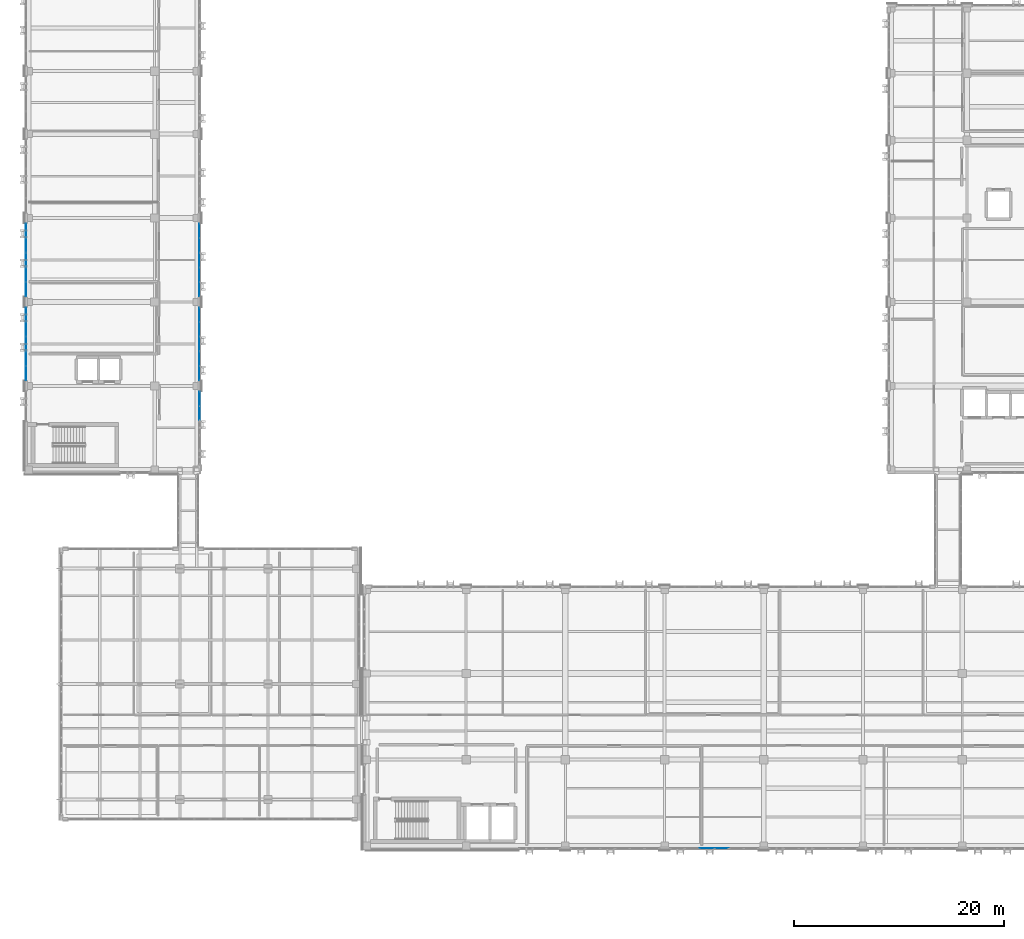
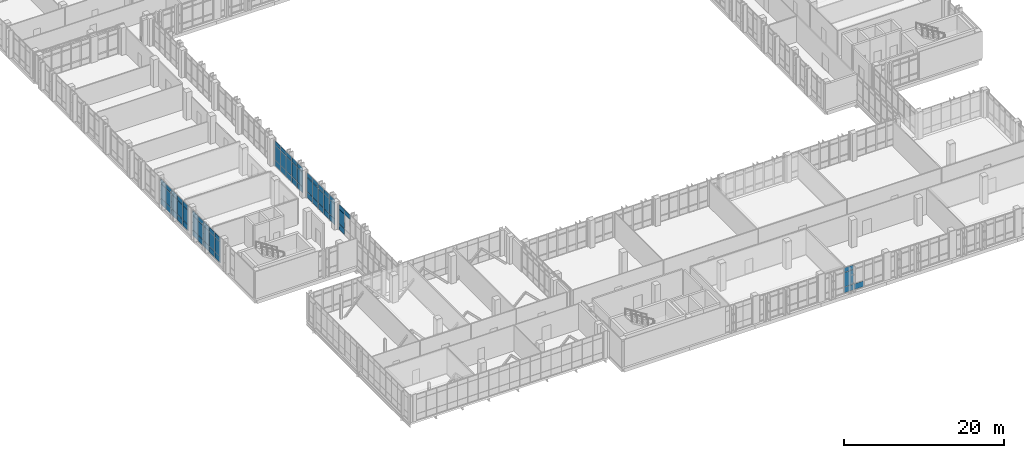
# One storey, part 117 of 165: 68 plates, 6 elements without a shape of their own.
"""IFC4 building model written with IfcOpenShell, lengths in metres."""

from ifc_helpers import new_model, si_unit, direction, frame, origin, origin_2d, place, context, subcontext, project, spatial, rectangle, extrude, material, layer, layer_set, type_object, element, aggregate, save


model = new_model("IFC4")

# Units and contexts
model_context = context("Model", 3, precision=1e-05, world=origin(), true_north=direction((0.0, 1.0)))
body_context = subcontext(model_context, "Body", "Model", "MODEL_VIEW")
ifc_project = project(units=[si_unit("LENGTHUNIT", "METRE"), si_unit("AREAUNIT", "SQUARE_METRE"), si_unit("VOLUMEUNIT", "CUBIC_METRE"), si_unit("PLANEANGLEUNIT", "RADIAN"), si_unit("MASSUNIT", "GRAM", prefix="KILO")], contexts=[model_context])

# Site, building, storey
site_placement = place(None, origin())
site = spatial("IfcSite", under=ifc_project, at=site_placement, CompositionType="ELEMENT")
building_placement = place(site_placement, origin())
building = spatial("IfcBuilding", under=site, at=building_placement, Name="Qalavern Law Courts", CompositionType="ELEMENT")
storey_placement = place(building_placement, frame((0.0, 0.0, 14.39990234375)))
storey = spatial("IfcBuildingStorey", under=building, at=storey_placement, Name="L03", CompositionType="ELEMENT", Elevation=14.39990234375)

# Curtain wall, plates
ifc_material_1 = material(Name="Anodised aluminium and insulated glazing", Category="aluminium")
ifc_layer_1 = layer(ifc_material_1, 0.172119140625)
ifc_layer_set_1 = layer_set([ifc_layer_1], Name="Anodised aluminium and insulated glazing")
curtain_wall_type_1 = type_object("IfcCurtainWallType", Name="ENV-CW-COURT", PredefinedType="USERDEFINED", material=ifc_layer_set_1)
curtain_wall_1_placement = place(storey_placement, origin())
curtain_wall_1 = element("IfcCurtainWall", 1, at=curtain_wall_1_placement, inside=storey, type_object=curtain_wall_type_1, Name="V3 unitised curtain wall L03 east 2", ObjectType="UNITISED CURTAIN WALL", PredefinedType="USERDEFINED")
ifc_material_2 = material(Name="Insulated low-E acoustic glazing", Category="glass")
ifc_layer_2 = layer(ifc_material_2, 0.02392578125)
ifc_layer_set_2 = layer_set([ifc_layer_2], Name="Insulated low-E acoustic glazing")
plate_type_1 = type_object("IfcPlateType", Name="ENV-CWP-24", PredefinedType="CURTAIN_PANEL", material=ifc_layer_set_2)
plate_1_placement = place(storey_placement, frame((18.652587890625, 50.612060546875, 0.048095703125), z_axis=(0.0, 0.0, 1.0), x_axis=(0.0, 1.0, 0.0)))
plate_1 = element("IfcPlate", 2, at=plate_1_placement, type_object=plate_type_1, Name="CW-03 panel 1.1", PredefinedType="CURTAIN_PANEL", context=body_context, shape_type="SweptSolid", body=[
    extrude(rectangle(XDim=1.327880859375, YDim=0.02392578125, at=origin_2d()), origin(), (0.0, 0.0, 1.0), 0.8779296875),
])
plate_2_placement = place(storey_placement, frame((18.652587890625, 50.612060546875, 0.97412109375), z_axis=(0.0, 0.0, 1.0), x_axis=(0.0, 1.0, 0.0)))
plate_2 = element("IfcPlate", 3, at=plate_2_placement, type_object=plate_type_1, Name="CW-03 panel 1.2", PredefinedType="CURTAIN_PANEL", context=body_context, shape_type="SweptSolid", body=[
    extrude(rectangle(XDim=1.327880859375, YDim=0.02392578125, at=origin_2d()), origin(), (0.0, 0.0, 1.0), 2.172119140625),
])
plate_3_placement = place(storey_placement, frame((18.652587890625, 50.612060546875, 3.1943359375), z_axis=(0.0, 0.0, 1.0), x_axis=(0.0, 1.0, 0.0)))
plate_3 = element("IfcPlate", 4, at=plate_3_placement, type_object=plate_type_1, Name="CW-03 panel 1.3", PredefinedType="CURTAIN_PANEL", context=body_context, shape_type="SweptSolid", body=[
    extrude(rectangle(XDim=1.327880859375, YDim=0.02392578125, at=origin_2d()), origin(), (0.0, 0.0, 1.0), 0.677978515625),
])
plate_4_placement = place(storey_placement, frame((18.652587890625, 52.0, 0.048095703125), z_axis=(0.0, 0.0, 1.0), x_axis=(0.0, 1.0, 0.0)))
plate_4 = element("IfcPlate", 5, at=plate_4_placement, type_object=plate_type_1, Name="CW-03 panel 2.1", PredefinedType="CURTAIN_PANEL", context=body_context, shape_type="SweptSolid", body=[
    extrude(rectangle(XDim=1.35205078125, YDim=0.02392578125, at=origin_2d()), origin(), (0.0, 0.0, 1.0), 0.8779296875),
])
plate_5_placement = place(storey_placement, frame((18.652587890625, 52.0, 0.97412109375), z_axis=(0.0, 0.0, 1.0), x_axis=(0.0, 1.0, 0.0)))
plate_5 = element("IfcPlate", 6, at=plate_5_placement, type_object=plate_type_1, Name="CW-03 panel 2.2", PredefinedType="CURTAIN_PANEL", context=body_context, shape_type="SweptSolid", body=[
    extrude(rectangle(XDim=1.35205078125, YDim=0.02392578125, at=origin_2d()), origin(), (0.0, 0.0, 1.0), 2.172119140625),
])
plate_6_placement = place(storey_placement, frame((18.652587890625, 52.0, 3.1943359375), z_axis=(0.0, 0.0, 1.0), x_axis=(0.0, 1.0, 0.0)))
plate_6 = element("IfcPlate", 7, at=plate_6_placement, type_object=plate_type_1, Name="CW-03 panel 2.3", PredefinedType="CURTAIN_PANEL", context=body_context, shape_type="SweptSolid", body=[
    extrude(rectangle(XDim=1.35205078125, YDim=0.02392578125, at=origin_2d()), origin(), (0.0, 0.0, 1.0), 0.677978515625),
])
plate_7_placement = place(storey_placement, frame((18.652587890625, 53.39990234375, 0.048095703125), z_axis=(0.0, 0.0, 1.0), x_axis=(0.0, 1.0, 0.0)))
plate_7 = element("IfcPlate", 8, at=plate_7_placement, type_object=plate_type_1, Name="CW-03 panel 3.1", PredefinedType="CURTAIN_PANEL", context=body_context, shape_type="SweptSolid", body=[
    extrude(rectangle(XDim=1.35205078125, YDim=0.02392578125, at=origin_2d()), origin(), (0.0, 0.0, 1.0), 0.8779296875),
])
plate_8_placement = place(storey_placement, frame((18.652587890625, 53.39990234375, 0.97412109375), z_axis=(0.0, 0.0, 1.0), x_axis=(0.0, 1.0, 0.0)))
plate_8 = element("IfcPlate", 9, at=plate_8_placement, type_object=plate_type_1, Name="CW-03 panel 3.2", PredefinedType="CURTAIN_PANEL", context=body_context, shape_type="SweptSolid", body=[
    extrude(rectangle(XDim=1.35205078125, YDim=0.02392578125, at=origin_2d()), origin(), (0.0, 0.0, 1.0), 2.172119140625),
])
plate_9_placement = place(storey_placement, frame((18.652587890625, 53.39990234375, 3.1943359375), z_axis=(0.0, 0.0, 1.0), x_axis=(0.0, 1.0, 0.0)))
plate_9 = element("IfcPlate", 10, at=plate_9_placement, type_object=plate_type_1, Name="CW-03 panel 3.3", PredefinedType="CURTAIN_PANEL", context=body_context, shape_type="SweptSolid", body=[
    extrude(rectangle(XDim=1.35205078125, YDim=0.02392578125, at=origin_2d()), origin(), (0.0, 0.0, 1.0), 0.677978515625),
])
plate_10_placement = place(storey_placement, frame((18.652587890625, 54.800048828125, 0.048095703125), z_axis=(0.0, 0.0, 1.0), x_axis=(0.0, 1.0, 0.0)))
plate_10 = element("IfcPlate", 11, at=plate_10_placement, type_object=plate_type_1, Name="CW-03 panel 4.1", PredefinedType="CURTAIN_PANEL", context=body_context, shape_type="SweptSolid", body=[
    extrude(rectangle(XDim=1.35205078125, YDim=0.02392578125, at=origin_2d()), origin(), (0.0, 0.0, 1.0), 0.8779296875),
])
plate_11_placement = place(storey_placement, frame((18.652587890625, 54.800048828125, 0.97412109375), z_axis=(0.0, 0.0, 1.0), x_axis=(0.0, 1.0, 0.0)))
plate_11 = element("IfcPlate", 12, at=plate_11_placement, type_object=plate_type_1, Name="CW-03 panel 4.2", PredefinedType="CURTAIN_PANEL", context=body_context, shape_type="SweptSolid", body=[
    extrude(rectangle(XDim=1.35205078125, YDim=0.02392578125, at=origin_2d()), origin(), (0.0, 0.0, 1.0), 2.172119140625),
])
plate_12_placement = place(storey_placement, frame((18.652587890625, 54.800048828125, 3.1943359375), z_axis=(0.0, 0.0, 1.0), x_axis=(0.0, 1.0, 0.0)))
plate_12 = element("IfcPlate", 13, at=plate_12_placement, type_object=plate_type_1, Name="CW-03 panel 4.3", PredefinedType="CURTAIN_PANEL", context=body_context, shape_type="SweptSolid", body=[
    extrude(rectangle(XDim=1.35205078125, YDim=0.02392578125, at=origin_2d()), origin(), (0.0, 0.0, 1.0), 0.677978515625),
])
plate_13_placement = place(storey_placement, frame((18.652587890625, 56.18798828125, 0.048095703125), z_axis=(0.0, 0.0, 1.0), x_axis=(0.0, 1.0, 0.0)))
plate_13 = element("IfcPlate", 14, at=plate_13_placement, type_object=plate_type_1, Name="CW-03 panel 5.1", PredefinedType="CURTAIN_PANEL", context=body_context, shape_type="SweptSolid", body=[
    extrude(rectangle(XDim=1.327880859375, YDim=0.02392578125, at=origin_2d()), origin(), (0.0, 0.0, 1.0), 0.8779296875),
])
plate_14_placement = place(storey_placement, frame((18.652587890625, 56.18798828125, 0.97412109375), z_axis=(0.0, 0.0, 1.0), x_axis=(0.0, 1.0, 0.0)))
plate_14 = element("IfcPlate", 15, at=plate_14_placement, type_object=plate_type_1, Name="CW-03 panel 5.2", PredefinedType="CURTAIN_PANEL", context=body_context, shape_type="SweptSolid", body=[
    extrude(rectangle(XDim=1.327880859375, YDim=0.02392578125, at=origin_2d()), origin(), (0.0, 0.0, 1.0), 2.172119140625),
])
plate_15_placement = place(storey_placement, frame((18.652587890625, 56.18798828125, 3.1943359375), z_axis=(0.0, 0.0, 1.0), x_axis=(0.0, 1.0, 0.0)))
plate_15 = element("IfcPlate", 16, at=plate_15_placement, type_object=plate_type_1, Name="CW-03 panel 5.3", PredefinedType="CURTAIN_PANEL", context=body_context, shape_type="SweptSolid", body=[
    extrude(rectangle(XDim=1.327880859375, YDim=0.02392578125, at=origin_2d()), origin(), (0.0, 0.0, 1.0), 0.677978515625),
])
aggregate(curtain_wall_1, [plate_1, plate_2, plate_3, plate_4, plate_5, plate_6, plate_7, plate_8, plate_9, plate_10, plate_11, plate_12, plate_13, plate_14, plate_15])

ifc_layer_3 = layer(ifc_material_1, 0.18505859375)
ifc_layer_set_3 = layer_set([ifc_layer_3], Name="Anodised aluminium and insulated glazing")
curtain_wall_type_2 = type_object("IfcCurtainWallType", Name="ENV-CW-HALL", PredefinedType="USERDEFINED", material=ifc_layer_set_3)
curtain_wall_2_placement = place(storey_placement, origin())
curtain_wall_2 = element("IfcCurtainWall", 17, at=curtain_wall_2_placement, inside=storey, type_object=curtain_wall_type_2, Name="V2 unitised curtain wall L03 south 3", ObjectType="UNITISED CURTAIN WALL", PredefinedType="USERDEFINED")
ifc_layer_4 = layer(ifc_material_2, 0.028076171875)
ifc_layer_set_4 = layer_set([ifc_layer_4], Name="Insulated low-E acoustic glazing")
plate_type_2 = type_object("IfcPlateType", Name="ENV-CWP-28", PredefinedType="CURTAIN_PANEL", material=ifc_layer_set_4)
plate_16_placement = place(storey_placement, frame((67.00537109375, 5.347412109375, 0.048095703125), z_axis=(0.0, 0.0, 1.0), x_axis=(1.0, 0.0, 0.0)))
plate_16 = element("IfcPlate", 18, at=plate_16_placement, type_object=plate_type_2, Name="CW-02 panel 3.1", PredefinedType="CURTAIN_PANEL", context=body_context, shape_type="SweptSolid", body=[
    extrude(rectangle(XDim=1.361083984375, YDim=0.028076171875, at=origin_2d()), origin(), (0.0, 0.0, 1.0), 0.8779296875),
])
plate_17_placement = place(storey_placement, frame((67.00537109375, 5.347412109375, 0.97412109375), z_axis=(0.0, 0.0, 1.0), x_axis=(1.0, 0.0, 0.0)))
plate_17 = element("IfcPlate", 19, at=plate_17_placement, type_object=plate_type_2, Name="CW-02 panel 3.2", PredefinedType="CURTAIN_PANEL", context=body_context, shape_type="SweptSolid", body=[
    extrude(rectangle(XDim=1.361083984375, YDim=0.028076171875, at=origin_2d()), origin(), (0.0, 0.0, 1.0), 2.172119140625),
])
plate_18_placement = place(storey_placement, frame((67.00537109375, 5.347412109375, 3.1943359375), z_axis=(0.0, 0.0, 1.0), x_axis=(1.0, 0.0, 0.0)))
plate_18 = element("IfcPlate", 20, at=plate_18_placement, type_object=plate_type_2, Name="CW-02 panel 3.3", PredefinedType="CURTAIN_PANEL", context=body_context, shape_type="SweptSolid", body=[
    extrude(rectangle(XDim=1.361083984375, YDim=0.028076171875, at=origin_2d()), origin(), (0.0, 0.0, 1.0), 0.677978515625),
])
plate_19_placement = place(storey_placement, frame((68.41455078125, 5.347412109375, 0.048095703125), z_axis=(0.0, 0.0, 1.0), x_axis=(1.0, 0.0, 0.0)))
plate_19 = element("IfcPlate", 21, at=plate_19_placement, type_object=plate_type_2, Name="CW-02 panel 4.1", PredefinedType="CURTAIN_PANEL", context=body_context, shape_type="SweptSolid", body=[
    extrude(rectangle(XDim=1.361083984375, YDim=0.028076171875, at=origin_2d()), origin(), (0.0, 0.0, 1.0), 0.8779296875),
])
aggregate(curtain_wall_2, [plate_16, plate_17, plate_18, plate_19])

curtain_wall_3_placement = place(storey_placement, origin())
curtain_wall_3 = element("IfcCurtainWall", 22, at=curtain_wall_3_placement, inside=storey, type_object=curtain_wall_type_1, Name="V3 unitised curtain wall L03 east 3", ObjectType="UNITISED CURTAIN WALL", PredefinedType="USERDEFINED")
plate_20_placement = place(storey_placement, frame((18.652587890625, 58.612060546875, 0.048095703125), z_axis=(0.0, 0.0, 1.0), x_axis=(0.0, 1.0, 0.0)))
plate_20 = element("IfcPlate", 23, at=plate_20_placement, type_object=plate_type_2, Name="CW-03 panel 1.1", PredefinedType="CURTAIN_PANEL", context=body_context, shape_type="SweptSolid", body=[
    extrude(rectangle(XDim=1.327880859375, YDim=0.028076171875, at=origin_2d()), origin(), (0.0, 0.0, 1.0), 0.8779296875),
])
plate_21_placement = place(storey_placement, frame((18.652587890625, 58.612060546875, 0.97412109375), z_axis=(0.0, 0.0, 1.0), x_axis=(0.0, 1.0, 0.0)))
plate_21 = element("IfcPlate", 24, at=plate_21_placement, type_object=plate_type_2, Name="CW-03 panel 1.2", PredefinedType="CURTAIN_PANEL", context=body_context, shape_type="SweptSolid", body=[
    extrude(rectangle(XDim=1.327880859375, YDim=0.028076171875, at=origin_2d()), origin(), (0.0, 0.0, 1.0), 2.172119140625),
])
plate_22_placement = place(storey_placement, frame((18.652587890625, 58.612060546875, 3.1943359375), z_axis=(0.0, 0.0, 1.0), x_axis=(0.0, 1.0, 0.0)))
plate_22 = element("IfcPlate", 25, at=plate_22_placement, type_object=plate_type_2, Name="CW-03 panel 1.3", PredefinedType="CURTAIN_PANEL", context=body_context, shape_type="SweptSolid", body=[
    extrude(rectangle(XDim=1.327880859375, YDim=0.028076171875, at=origin_2d()), origin(), (0.0, 0.0, 1.0), 0.677978515625),
])
plate_23_placement = place(storey_placement, frame((18.652587890625, 60.0, 0.048095703125), z_axis=(0.0, 0.0, 1.0), x_axis=(0.0, 1.0, 0.0)))
plate_23 = element("IfcPlate", 26, at=plate_23_placement, type_object=plate_type_2, Name="CW-03 panel 2.1", PredefinedType="CURTAIN_PANEL", context=body_context, shape_type="SweptSolid", body=[
    extrude(rectangle(XDim=1.35205078125, YDim=0.028076171875, at=origin_2d()), origin(), (0.0, 0.0, 1.0), 0.8779296875),
])
plate_24_placement = place(storey_placement, frame((18.652587890625, 60.0, 0.97412109375), z_axis=(0.0, 0.0, 1.0), x_axis=(0.0, 1.0, 0.0)))
plate_24 = element("IfcPlate", 27, at=plate_24_placement, type_object=plate_type_2, Name="CW-03 panel 2.2", PredefinedType="CURTAIN_PANEL", context=body_context, shape_type="SweptSolid", body=[
    extrude(rectangle(XDim=1.35205078125, YDim=0.028076171875, at=origin_2d()), origin(), (0.0, 0.0, 1.0), 2.172119140625),
])
plate_25_placement = place(storey_placement, frame((18.652587890625, 60.0, 3.1943359375), z_axis=(0.0, 0.0, 1.0), x_axis=(0.0, 1.0, 0.0)))
plate_25 = element("IfcPlate", 28, at=plate_25_placement, type_object=plate_type_2, Name="CW-03 panel 2.3", PredefinedType="CURTAIN_PANEL", context=body_context, shape_type="SweptSolid", body=[
    extrude(rectangle(XDim=1.35205078125, YDim=0.028076171875, at=origin_2d()), origin(), (0.0, 0.0, 1.0), 0.677978515625),
])
plate_26_placement = place(storey_placement, frame((18.652587890625, 61.39990234375, 0.048095703125), z_axis=(0.0, 0.0, 1.0), x_axis=(0.0, 1.0, 0.0)))
plate_26 = element("IfcPlate", 29, at=plate_26_placement, type_object=plate_type_2, Name="CW-03 panel 3.1", PredefinedType="CURTAIN_PANEL", context=body_context, shape_type="SweptSolid", body=[
    extrude(rectangle(XDim=1.35205078125, YDim=0.028076171875, at=origin_2d()), origin(), (0.0, 0.0, 1.0), 0.8779296875),
])
plate_27_placement = place(storey_placement, frame((18.652587890625, 61.39990234375, 0.97412109375), z_axis=(0.0, 0.0, 1.0), x_axis=(0.0, 1.0, 0.0)))
plate_27 = element("IfcPlate", 30, at=plate_27_placement, type_object=plate_type_2, Name="CW-03 panel 3.2", PredefinedType="CURTAIN_PANEL", context=body_context, shape_type="SweptSolid", body=[
    extrude(rectangle(XDim=1.35205078125, YDim=0.028076171875, at=origin_2d()), origin(), (0.0, 0.0, 1.0), 2.172119140625),
])
plate_28_placement = place(storey_placement, frame((18.652587890625, 61.39990234375, 3.1943359375), z_axis=(0.0, 0.0, 1.0), x_axis=(0.0, 1.0, 0.0)))
plate_28 = element("IfcPlate", 31, at=plate_28_placement, type_object=plate_type_2, Name="CW-03 panel 3.3", PredefinedType="CURTAIN_PANEL", context=body_context, shape_type="SweptSolid", body=[
    extrude(rectangle(XDim=1.35205078125, YDim=0.028076171875, at=origin_2d()), origin(), (0.0, 0.0, 1.0), 0.677978515625),
])
plate_29_placement = place(storey_placement, frame((18.652587890625, 62.800048828125, 0.048095703125), z_axis=(0.0, 0.0, 1.0), x_axis=(0.0, 1.0, 0.0)))
plate_29 = element("IfcPlate", 32, at=plate_29_placement, type_object=plate_type_2, Name="CW-03 panel 4.1", PredefinedType="CURTAIN_PANEL", context=body_context, shape_type="SweptSolid", body=[
    extrude(rectangle(XDim=1.35205078125, YDim=0.028076171875, at=origin_2d()), origin(), (0.0, 0.0, 1.0), 0.8779296875),
])
plate_30_placement = place(storey_placement, frame((18.652587890625, 62.800048828125, 0.97412109375), z_axis=(0.0, 0.0, 1.0), x_axis=(0.0, 1.0, 0.0)))
plate_30 = element("IfcPlate", 33, at=plate_30_placement, type_object=plate_type_2, Name="CW-03 panel 4.2", PredefinedType="CURTAIN_PANEL", context=body_context, shape_type="SweptSolid", body=[
    extrude(rectangle(XDim=1.35205078125, YDim=0.028076171875, at=origin_2d()), origin(), (0.0, 0.0, 1.0), 2.172119140625),
])
plate_31_placement = place(storey_placement, frame((18.652587890625, 62.800048828125, 3.1943359375), z_axis=(0.0, 0.0, 1.0), x_axis=(0.0, 1.0, 0.0)))
plate_31 = element("IfcPlate", 34, at=plate_31_placement, type_object=plate_type_2, Name="CW-03 panel 4.3", PredefinedType="CURTAIN_PANEL", context=body_context, shape_type="SweptSolid", body=[
    extrude(rectangle(XDim=1.35205078125, YDim=0.028076171875, at=origin_2d()), origin(), (0.0, 0.0, 1.0), 0.677978515625),
])
plate_32_placement = place(storey_placement, frame((18.652587890625, 64.18798828125, 0.048095703125), z_axis=(0.0, 0.0, 1.0), x_axis=(0.0, 1.0, 0.0)))
plate_32 = element("IfcPlate", 35, at=plate_32_placement, type_object=plate_type_2, Name="CW-03 panel 5.1", PredefinedType="CURTAIN_PANEL", context=body_context, shape_type="SweptSolid", body=[
    extrude(rectangle(XDim=1.327880859375, YDim=0.028076171875, at=origin_2d()), origin(), (0.0, 0.0, 1.0), 0.8779296875),
])
plate_33_placement = place(storey_placement, frame((18.652587890625, 64.18798828125, 0.97412109375), z_axis=(0.0, 0.0, 1.0), x_axis=(0.0, 1.0, 0.0)))
plate_33 = element("IfcPlate", 36, at=plate_33_placement, type_object=plate_type_2, Name="CW-03 panel 5.2", PredefinedType="CURTAIN_PANEL", context=body_context, shape_type="SweptSolid", body=[
    extrude(rectangle(XDim=1.327880859375, YDim=0.028076171875, at=origin_2d()), origin(), (0.0, 0.0, 1.0), 2.172119140625),
])
plate_34_placement = place(storey_placement, frame((18.652587890625, 64.18798828125, 3.1943359375), z_axis=(0.0, 0.0, 1.0), x_axis=(0.0, 1.0, 0.0)))
plate_34 = element("IfcPlate", 37, at=plate_34_placement, type_object=plate_type_2, Name="CW-03 panel 5.3", PredefinedType="CURTAIN_PANEL", context=body_context, shape_type="SweptSolid", body=[
    extrude(rectangle(XDim=1.327880859375, YDim=0.028076171875, at=origin_2d()), origin(), (0.0, 0.0, 1.0), 0.677978515625),
])
aggregate(curtain_wall_3, [plate_20, plate_21, plate_22, plate_23, plate_24, plate_25, plate_26, plate_27, plate_28, plate_29, plate_30, plate_31, plate_32, plate_33, plate_34])

curtain_wall_4_placement = place(storey_placement, origin())
curtain_wall_4 = element("IfcCurtainWall", 38, at=curtain_wall_4_placement, inside=storey, type_object=curtain_wall_type_1, Name="V3 unitised curtain wall L03 west 5", ObjectType="UNITISED CURTAIN WALL", PredefinedType="USERDEFINED")
ifc_layer_5 = layer(ifc_material_2, 0.035888671875)
ifc_layer_set_5 = layer_set([ifc_layer_5], Name="Insulated low-E acoustic glazing")
plate_type_3 = type_object("IfcPlateType", Name="ENV-CWP-36", PredefinedType="CURTAIN_PANEL", material=ifc_layer_set_5)
plate_35_placement = place(storey_placement, frame((2.1474609375, 64.18798828125, 0.048095703125), z_axis=(0.0, 0.0, 1.0), x_axis=(0.0, -1.0, 0.0)))
plate_35 = element("IfcPlate", 39, at=plate_35_placement, type_object=plate_type_3, Name="CW-03 panel 1.1", PredefinedType="CURTAIN_PANEL", context=body_context, shape_type="SweptSolid", body=[
    extrude(rectangle(XDim=1.327880859375, YDim=0.035888671875, at=origin_2d()), origin(), (0.0, 0.0, 1.0), 0.8779296875),
])
plate_36_placement = place(storey_placement, frame((2.1474609375, 64.18798828125, 0.97412109375), z_axis=(0.0, 0.0, 1.0), x_axis=(0.0, -1.0, 0.0)))
plate_36 = element("IfcPlate", 40, at=plate_36_placement, type_object=plate_type_3, Name="CW-03 panel 1.2", PredefinedType="CURTAIN_PANEL", context=body_context, shape_type="SweptSolid", body=[
    extrude(rectangle(XDim=1.327880859375, YDim=0.035888671875, at=origin_2d()), origin(), (0.0, 0.0, 1.0), 2.172119140625),
])
plate_37_placement = place(storey_placement, frame((2.1474609375, 64.18798828125, 3.1943359375), z_axis=(0.0, 0.0, 1.0), x_axis=(0.0, -1.0, 0.0)))
plate_37 = element("IfcPlate", 41, at=plate_37_placement, type_object=plate_type_3, Name="CW-03 panel 1.3", PredefinedType="CURTAIN_PANEL", context=body_context, shape_type="SweptSolid", body=[
    extrude(rectangle(XDim=1.327880859375, YDim=0.035888671875, at=origin_2d()), origin(), (0.0, 0.0, 1.0), 0.677978515625),
])
plate_38_placement = place(storey_placement, frame((2.1474609375, 62.800048828125, 0.048095703125), z_axis=(0.0, 0.0, 1.0), x_axis=(0.0, -1.0, 0.0)))
plate_38 = element("IfcPlate", 42, at=plate_38_placement, type_object=plate_type_3, Name="CW-03 panel 2.1", PredefinedType="CURTAIN_PANEL", context=body_context, shape_type="SweptSolid", body=[
    extrude(rectangle(XDim=1.35205078125, YDim=0.035888671875, at=origin_2d()), origin(), (0.0, 0.0, 1.0), 0.8779296875),
])
plate_39_placement = place(storey_placement, frame((2.1474609375, 62.800048828125, 0.97412109375), z_axis=(0.0, 0.0, 1.0), x_axis=(0.0, -1.0, 0.0)))
plate_39 = element("IfcPlate", 43, at=plate_39_placement, type_object=plate_type_3, Name="CW-03 panel 2.2", PredefinedType="CURTAIN_PANEL", context=body_context, shape_type="SweptSolid", body=[
    extrude(rectangle(XDim=1.35205078125, YDim=0.035888671875, at=origin_2d()), origin(), (0.0, 0.0, 1.0), 2.172119140625),
])
plate_40_placement = place(storey_placement, frame((2.1474609375, 62.800048828125, 3.1943359375), z_axis=(0.0, 0.0, 1.0), x_axis=(0.0, -1.0, 0.0)))
plate_40 = element("IfcPlate", 44, at=plate_40_placement, type_object=plate_type_3, Name="CW-03 panel 2.3", PredefinedType="CURTAIN_PANEL", context=body_context, shape_type="SweptSolid", body=[
    extrude(rectangle(XDim=1.35205078125, YDim=0.035888671875, at=origin_2d()), origin(), (0.0, 0.0, 1.0), 0.677978515625),
])
plate_41_placement = place(storey_placement, frame((2.1474609375, 61.39990234375, 0.048095703125), z_axis=(0.0, 0.0, 1.0), x_axis=(0.0, -1.0, 0.0)))
plate_41 = element("IfcPlate", 45, at=plate_41_placement, type_object=plate_type_3, Name="CW-03 panel 3.1", PredefinedType="CURTAIN_PANEL", context=body_context, shape_type="SweptSolid", body=[
    extrude(rectangle(XDim=1.35205078125, YDim=0.035888671875, at=origin_2d()), origin(), (0.0, 0.0, 1.0), 0.8779296875),
])
plate_42_placement = place(storey_placement, frame((2.1474609375, 61.39990234375, 0.97412109375), z_axis=(0.0, 0.0, 1.0), x_axis=(0.0, -1.0, 0.0)))
plate_42 = element("IfcPlate", 46, at=plate_42_placement, type_object=plate_type_3, Name="CW-03 panel 3.2", PredefinedType="CURTAIN_PANEL", context=body_context, shape_type="SweptSolid", body=[
    extrude(rectangle(XDim=1.35205078125, YDim=0.035888671875, at=origin_2d()), origin(), (0.0, 0.0, 1.0), 2.172119140625),
])
plate_43_placement = place(storey_placement, frame((2.1474609375, 61.39990234375, 3.1943359375), z_axis=(0.0, 0.0, 1.0), x_axis=(0.0, -1.0, 0.0)))
plate_43 = element("IfcPlate", 47, at=plate_43_placement, type_object=plate_type_3, Name="CW-03 panel 3.3", PredefinedType="CURTAIN_PANEL", context=body_context, shape_type="SweptSolid", body=[
    extrude(rectangle(XDim=1.35205078125, YDim=0.035888671875, at=origin_2d()), origin(), (0.0, 0.0, 1.0), 0.677978515625),
])
plate_44_placement = place(storey_placement, frame((2.1474609375, 60.0, 0.048095703125), z_axis=(0.0, 0.0, 1.0), x_axis=(0.0, -1.0, 0.0)))
plate_44 = element("IfcPlate", 48, at=plate_44_placement, type_object=plate_type_3, Name="CW-03 panel 4.1", PredefinedType="CURTAIN_PANEL", context=body_context, shape_type="SweptSolid", body=[
    extrude(rectangle(XDim=1.35205078125, YDim=0.035888671875, at=origin_2d()), origin(), (0.0, 0.0, 1.0), 0.8779296875),
])
plate_45_placement = place(storey_placement, frame((2.1474609375, 60.0, 0.97412109375), z_axis=(0.0, 0.0, 1.0), x_axis=(0.0, -1.0, 0.0)))
plate_45 = element("IfcPlate", 49, at=plate_45_placement, type_object=plate_type_3, Name="CW-03 panel 4.2", PredefinedType="CURTAIN_PANEL", context=body_context, shape_type="SweptSolid", body=[
    extrude(rectangle(XDim=1.35205078125, YDim=0.035888671875, at=origin_2d()), origin(), (0.0, 0.0, 1.0), 2.172119140625),
])
plate_46_placement = place(storey_placement, frame((2.1474609375, 60.0, 3.1943359375), z_axis=(0.0, 0.0, 1.0), x_axis=(0.0, -1.0, 0.0)))
plate_46 = element("IfcPlate", 50, at=plate_46_placement, type_object=plate_type_3, Name="CW-03 panel 4.3", PredefinedType="CURTAIN_PANEL", context=body_context, shape_type="SweptSolid", body=[
    extrude(rectangle(XDim=1.35205078125, YDim=0.035888671875, at=origin_2d()), origin(), (0.0, 0.0, 1.0), 0.677978515625),
])
plate_47_placement = place(storey_placement, frame((2.1474609375, 58.612060546875, 0.048095703125), z_axis=(0.0, 0.0, 1.0), x_axis=(0.0, -1.0, 0.0)))
plate_47 = element("IfcPlate", 51, at=plate_47_placement, type_object=plate_type_3, Name="CW-03 panel 5.1", PredefinedType="CURTAIN_PANEL", context=body_context, shape_type="SweptSolid", body=[
    extrude(rectangle(XDim=1.327880859375, YDim=0.035888671875, at=origin_2d()), origin(), (0.0, 0.0, 1.0), 0.8779296875),
])
plate_48_placement = place(storey_placement, frame((2.1474609375, 58.612060546875, 0.97412109375), z_axis=(0.0, 0.0, 1.0), x_axis=(0.0, -1.0, 0.0)))
plate_48 = element("IfcPlate", 52, at=plate_48_placement, type_object=plate_type_3, Name="CW-03 panel 5.2", PredefinedType="CURTAIN_PANEL", context=body_context, shape_type="SweptSolid", body=[
    extrude(rectangle(XDim=1.327880859375, YDim=0.035888671875, at=origin_2d()), origin(), (0.0, 0.0, 1.0), 2.172119140625),
])
plate_49_placement = place(storey_placement, frame((2.1474609375, 58.612060546875, 3.1943359375), z_axis=(0.0, 0.0, 1.0), x_axis=(0.0, -1.0, 0.0)))
plate_49 = element("IfcPlate", 53, at=plate_49_placement, type_object=plate_type_3, Name="CW-03 panel 5.3", PredefinedType="CURTAIN_PANEL", context=body_context, shape_type="SweptSolid", body=[
    extrude(rectangle(XDim=1.327880859375, YDim=0.035888671875, at=origin_2d()), origin(), (0.0, 0.0, 1.0), 0.677978515625),
])
aggregate(curtain_wall_4, [plate_35, plate_36, plate_37, plate_38, plate_39, plate_40, plate_41, plate_42, plate_43, plate_44, plate_45, plate_46, plate_47, plate_48, plate_49])

curtain_wall_5_placement = place(storey_placement, origin())
curtain_wall_5 = element("IfcCurtainWall", 54, at=curtain_wall_5_placement, inside=storey, type_object=curtain_wall_type_1, Name="V3 unitised curtain wall L03 west 6", ObjectType="UNITISED CURTAIN WALL", PredefinedType="USERDEFINED")
ifc_layer_6 = layer(ifc_material_2, 0.0400390625)
ifc_layer_set_6 = layer_set([ifc_layer_6], Name="Insulated low-E acoustic glazing")
plate_type_4 = type_object("IfcPlateType", Name="ENV-CWP-40", PredefinedType="CURTAIN_PANEL", material=ifc_layer_set_6)
plate_50_placement = place(storey_placement, frame((2.1474609375, 56.18798828125, 0.048095703125), z_axis=(0.0, 0.0, 1.0), x_axis=(0.0, -1.0, 0.0)))
plate_50 = element("IfcPlate", 55, at=plate_50_placement, type_object=plate_type_4, Name="CW-03 panel 1.1", PredefinedType="CURTAIN_PANEL", context=body_context, shape_type="SweptSolid", body=[
    extrude(rectangle(XDim=1.327880859375, YDim=0.0400390625, at=origin_2d()), origin(), (0.0, 0.0, 1.0), 0.8779296875),
])
plate_51_placement = place(storey_placement, frame((2.1474609375, 56.18798828125, 0.97412109375), z_axis=(0.0, 0.0, 1.0), x_axis=(0.0, -1.0, 0.0)))
plate_51 = element("IfcPlate", 56, at=plate_51_placement, type_object=plate_type_4, Name="CW-03 panel 1.2", PredefinedType="CURTAIN_PANEL", context=body_context, shape_type="SweptSolid", body=[
    extrude(rectangle(XDim=1.327880859375, YDim=0.0400390625, at=origin_2d()), origin(), (0.0, 0.0, 1.0), 2.172119140625),
])
plate_52_placement = place(storey_placement, frame((2.1474609375, 56.18798828125, 3.1943359375), z_axis=(0.0, 0.0, 1.0), x_axis=(0.0, -1.0, 0.0)))
plate_52 = element("IfcPlate", 57, at=plate_52_placement, type_object=plate_type_4, Name="CW-03 panel 1.3", PredefinedType="CURTAIN_PANEL", context=body_context, shape_type="SweptSolid", body=[
    extrude(rectangle(XDim=1.327880859375, YDim=0.0400390625, at=origin_2d()), origin(), (0.0, 0.0, 1.0), 0.677978515625),
])
plate_53_placement = place(storey_placement, frame((2.1474609375, 54.800048828125, 0.048095703125), z_axis=(0.0, 0.0, 1.0), x_axis=(0.0, -1.0, 0.0)))
plate_53 = element("IfcPlate", 58, at=plate_53_placement, type_object=plate_type_4, Name="CW-03 panel 2.1", PredefinedType="CURTAIN_PANEL", context=body_context, shape_type="SweptSolid", body=[
    extrude(rectangle(XDim=1.35205078125, YDim=0.0400390625, at=origin_2d()), origin(), (0.0, 0.0, 1.0), 0.8779296875),
])
plate_54_placement = place(storey_placement, frame((2.1474609375, 54.800048828125, 0.97412109375), z_axis=(0.0, 0.0, 1.0), x_axis=(0.0, -1.0, 0.0)))
plate_54 = element("IfcPlate", 59, at=plate_54_placement, type_object=plate_type_4, Name="CW-03 panel 2.2", PredefinedType="CURTAIN_PANEL", context=body_context, shape_type="SweptSolid", body=[
    extrude(rectangle(XDim=1.35205078125, YDim=0.0400390625, at=origin_2d()), origin(), (0.0, 0.0, 1.0), 2.172119140625),
])
plate_55_placement = place(storey_placement, frame((2.1474609375, 54.800048828125, 3.1943359375), z_axis=(0.0, 0.0, 1.0), x_axis=(0.0, -1.0, 0.0)))
plate_55 = element("IfcPlate", 60, at=plate_55_placement, type_object=plate_type_4, Name="CW-03 panel 2.3", PredefinedType="CURTAIN_PANEL", context=body_context, shape_type="SweptSolid", body=[
    extrude(rectangle(XDim=1.35205078125, YDim=0.0400390625, at=origin_2d()), origin(), (0.0, 0.0, 1.0), 0.677978515625),
])
plate_56_placement = place(storey_placement, frame((2.1474609375, 53.39990234375, 0.048095703125), z_axis=(0.0, 0.0, 1.0), x_axis=(0.0, -1.0, 0.0)))
plate_56 = element("IfcPlate", 61, at=plate_56_placement, type_object=plate_type_4, Name="CW-03 panel 3.1", PredefinedType="CURTAIN_PANEL", context=body_context, shape_type="SweptSolid", body=[
    extrude(rectangle(XDim=1.35205078125, YDim=0.0400390625, at=origin_2d()), origin(), (0.0, 0.0, 1.0), 0.8779296875),
])
plate_57_placement = place(storey_placement, frame((2.1474609375, 53.39990234375, 0.97412109375), z_axis=(0.0, 0.0, 1.0), x_axis=(0.0, -1.0, 0.0)))
plate_57 = element("IfcPlate", 62, at=plate_57_placement, type_object=plate_type_4, Name="CW-03 panel 3.2", PredefinedType="CURTAIN_PANEL", context=body_context, shape_type="SweptSolid", body=[
    extrude(rectangle(XDim=1.35205078125, YDim=0.0400390625, at=origin_2d()), origin(), (0.0, 0.0, 1.0), 2.172119140625),
])
plate_58_placement = place(storey_placement, frame((2.1474609375, 53.39990234375, 3.1943359375), z_axis=(0.0, 0.0, 1.0), x_axis=(0.0, -1.0, 0.0)))
plate_58 = element("IfcPlate", 63, at=plate_58_placement, type_object=plate_type_4, Name="CW-03 panel 3.3", PredefinedType="CURTAIN_PANEL", context=body_context, shape_type="SweptSolid", body=[
    extrude(rectangle(XDim=1.35205078125, YDim=0.0400390625, at=origin_2d()), origin(), (0.0, 0.0, 1.0), 0.677978515625),
])
plate_59_placement = place(storey_placement, frame((2.1474609375, 52.0, 0.048095703125), z_axis=(0.0, 0.0, 1.0), x_axis=(0.0, -1.0, 0.0)))
plate_59 = element("IfcPlate", 64, at=plate_59_placement, type_object=plate_type_4, Name="CW-03 panel 4.1", PredefinedType="CURTAIN_PANEL", context=body_context, shape_type="SweptSolid", body=[
    extrude(rectangle(XDim=1.35205078125, YDim=0.0400390625, at=origin_2d()), origin(), (0.0, 0.0, 1.0), 0.8779296875),
])
plate_60_placement = place(storey_placement, frame((2.1474609375, 52.0, 0.97412109375), z_axis=(0.0, 0.0, 1.0), x_axis=(0.0, -1.0, 0.0)))
plate_60 = element("IfcPlate", 65, at=plate_60_placement, type_object=plate_type_4, Name="CW-03 panel 4.2", PredefinedType="CURTAIN_PANEL", context=body_context, shape_type="SweptSolid", body=[
    extrude(rectangle(XDim=1.35205078125, YDim=0.0400390625, at=origin_2d()), origin(), (0.0, 0.0, 1.0), 2.172119140625),
])
plate_61_placement = place(storey_placement, frame((2.1474609375, 52.0, 3.1943359375), z_axis=(0.0, 0.0, 1.0), x_axis=(0.0, -1.0, 0.0)))
plate_61 = element("IfcPlate", 66, at=plate_61_placement, type_object=plate_type_4, Name="CW-03 panel 4.3", PredefinedType="CURTAIN_PANEL", context=body_context, shape_type="SweptSolid", body=[
    extrude(rectangle(XDim=1.35205078125, YDim=0.0400390625, at=origin_2d()), origin(), (0.0, 0.0, 1.0), 0.677978515625),
])
plate_62_placement = place(storey_placement, frame((2.1474609375, 50.612060546875, 0.048095703125), z_axis=(0.0, 0.0, 1.0), x_axis=(0.0, -1.0, 0.0)))
plate_62 = element("IfcPlate", 67, at=plate_62_placement, type_object=plate_type_4, Name="CW-03 panel 5.1", PredefinedType="CURTAIN_PANEL", context=body_context, shape_type="SweptSolid", body=[
    extrude(rectangle(XDim=1.327880859375, YDim=0.0400390625, at=origin_2d()), origin(), (0.0, 0.0, 1.0), 0.8779296875),
])
plate_63_placement = place(storey_placement, frame((2.1474609375, 50.612060546875, 0.97412109375), z_axis=(0.0, 0.0, 1.0), x_axis=(0.0, -1.0, 0.0)))
plate_63 = element("IfcPlate", 68, at=plate_63_placement, type_object=plate_type_4, Name="CW-03 panel 5.2", PredefinedType="CURTAIN_PANEL", context=body_context, shape_type="SweptSolid", body=[
    extrude(rectangle(XDim=1.327880859375, YDim=0.0400390625, at=origin_2d()), origin(), (0.0, 0.0, 1.0), 2.172119140625),
])
plate_64_placement = place(storey_placement, frame((2.1474609375, 50.612060546875, 3.1943359375), z_axis=(0.0, 0.0, 1.0), x_axis=(0.0, -1.0, 0.0)))
plate_64 = element("IfcPlate", 69, at=plate_64_placement, type_object=plate_type_4, Name="CW-03 panel 5.3", PredefinedType="CURTAIN_PANEL", context=body_context, shape_type="SweptSolid", body=[
    extrude(rectangle(XDim=1.327880859375, YDim=0.0400390625, at=origin_2d()), origin(), (0.0, 0.0, 1.0), 0.677978515625),
])
aggregate(curtain_wall_5, [plate_50, plate_51, plate_52, plate_53, plate_54, plate_55, plate_56, plate_57, plate_58, plate_59, plate_60, plate_61, plate_62, plate_63, plate_64])

curtain_wall_6_placement = place(storey_placement, origin())
curtain_wall_6 = element("IfcCurtainWall", 70, at=curtain_wall_6_placement, inside=storey, type_object=curtain_wall_type_1, Name="V3 unitised curtain wall L03 east 1", ObjectType="UNITISED CURTAIN WALL", PredefinedType="USERDEFINED")
ifc_layer_7 = layer(ifc_material_2, 0.052001953125)
ifc_layer_set_7 = layer_set([ifc_layer_7], Name="Insulated low-E acoustic glazing")
plate_type_5 = type_object("IfcPlateType", Name="ENV-CWP-52", PredefinedType="CURTAIN_PANEL", material=ifc_layer_set_7)
plate_65_placement = place(storey_placement, frame((18.652587890625, 46.805908203125, 3.1943359375), z_axis=(0.0, 0.0, 1.0), x_axis=(0.0, 1.0, 0.0)))
plate_65 = element("IfcPlate", 71, at=plate_65_placement, type_object=plate_type_5, Name="CW-03 panel 4.3", PredefinedType="CURTAIN_PANEL", context=body_context, shape_type="SweptSolid", body=[
    extrude(rectangle(XDim=1.347900390625, YDim=0.052001953125, at=origin_2d()), origin(), (0.0, 0.0, 1.0), 0.677978515625),
])
plate_66_placement = place(storey_placement, frame((18.652587890625, 48.18994140625, 0.048095703125), z_axis=(0.0, 0.0, 1.0), x_axis=(0.0, 1.0, 0.0)))
plate_66 = element("IfcPlate", 72, at=plate_66_placement, type_object=plate_type_5, Name="CW-03 panel 5.1", PredefinedType="CURTAIN_PANEL", context=body_context, shape_type="SweptSolid", body=[
    extrude(rectangle(XDim=1.323974609375, YDim=0.052001953125, at=origin_2d()), origin(), (0.0, 0.0, 1.0), 0.8779296875),
])
plate_67_placement = place(storey_placement, frame((18.652587890625, 48.18994140625, 0.97412109375), z_axis=(0.0, 0.0, 1.0), x_axis=(0.0, 1.0, 0.0)))
plate_67 = element("IfcPlate", 73, at=plate_67_placement, type_object=plate_type_5, Name="CW-03 panel 5.2", PredefinedType="CURTAIN_PANEL", context=body_context, shape_type="SweptSolid", body=[
    extrude(rectangle(XDim=1.323974609375, YDim=0.052001953125, at=origin_2d()), origin(), (0.0, 0.0, 1.0), 2.172119140625),
])
plate_68_placement = place(storey_placement, frame((18.652587890625, 48.18994140625, 3.1943359375), z_axis=(0.0, 0.0, 1.0), x_axis=(0.0, 1.0, 0.0)))
plate_68 = element("IfcPlate", 74, at=plate_68_placement, type_object=plate_type_5, Name="CW-03 panel 5.3", PredefinedType="CURTAIN_PANEL", context=body_context, shape_type="SweptSolid", body=[
    extrude(rectangle(XDim=1.323974609375, YDim=0.052001953125, at=origin_2d()), origin(), (0.0, 0.0, 1.0), 0.677978515625),
])
aggregate(curtain_wall_6, [plate_65, plate_66, plate_67, plate_68])

save(model, "model.ifc")
